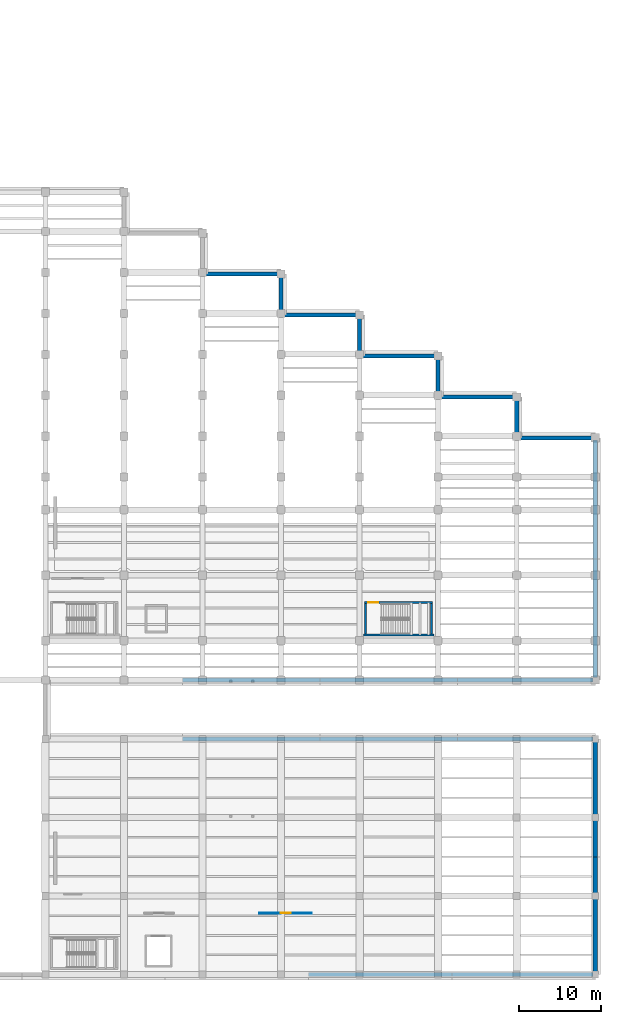
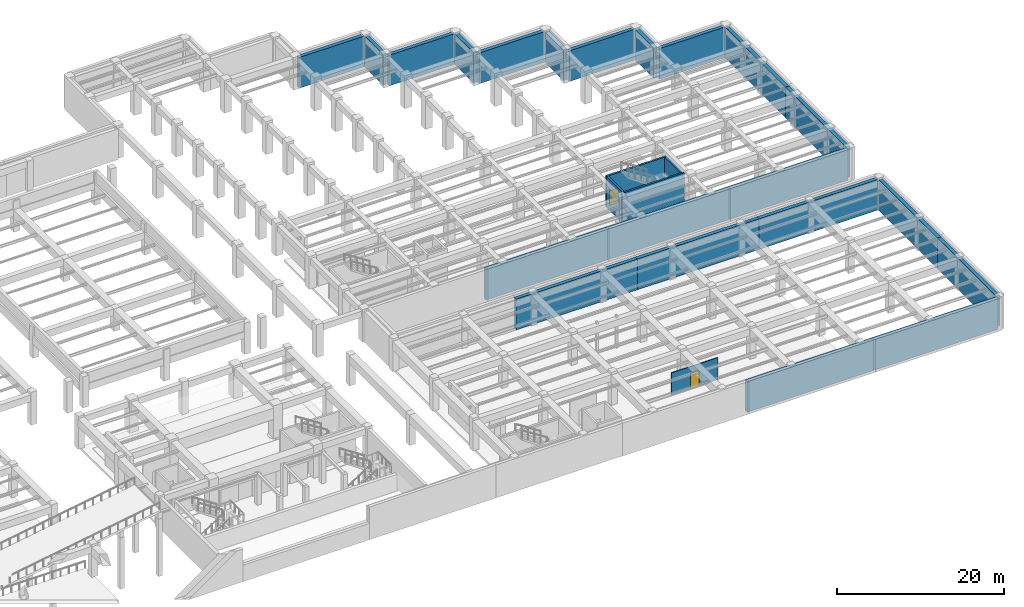
# One storey, part 29 of 45: 26 walls, 2 doors, 2 openings.
"""IFC4 building model written with IfcOpenShell, lengths in metres."""

from ifc_helpers import new_model, si_unit, direction, frame, frame_2d, origin, place, context, subcontext, project, spatial, rectangle, extrude, material, layer, layer_set, type_object, element, fill, save


model = new_model("IFC4")

# Units and contexts
model_context = context("Model", 3, precision=1e-05, world=origin(), true_north=direction((0.0, 1.0)))
body_context = subcontext(model_context, "Body", "Model", "MODEL_VIEW")
ifc_project = project(units=[si_unit("LENGTHUNIT", "METRE"), si_unit("AREAUNIT", "SQUARE_METRE"), si_unit("VOLUMEUNIT", "CUBIC_METRE"), si_unit("PLANEANGLEUNIT", "RADIAN"), si_unit("MASSUNIT", "GRAM", prefix="KILO")], contexts=[model_context])

# Site, building, storey
site_placement = place(None, origin())
site = spatial("IfcSite", under=ifc_project, at=site_placement, CompositionType="ELEMENT")
building_placement = place(site_placement, origin())
building = spatial("IfcBuilding", under=site, at=building_placement, Name="Mavantir Sound Aquarium", CompositionType="ELEMENT")
storey_placement = place(building_placement, frame((0.0, 0.0, -4.800048828125)))
storey = spatial("IfcBuildingStorey", under=building, at=storey_placement, Name="B1", CompositionType="ELEMENT", Elevation=-4.800048828125)

# Wall, opening, door
ifc_material_1 = material(Name="Lightweight Partition Framing", Category="gypsum")
ifc_layer_1 = layer(ifc_material_1, 0.1201171875, Name="Lightweight Partition Framing")
ifc_layer_set_1 = layer_set([ifc_layer_1], Name="Lightweight Partition Framing")
wall_type_1 = type_object("IfcWallType", Name="IW-PART-120", PredefinedType="PARTITIONING", material=ifc_layer_set_1)
wall_1_placement = place(storey_placement, frame((134.14990234375, 7.52490234375, 0.0), z_axis=(0.0, 0.0, 1.0), x_axis=(1.0, 0.0, 0.0)))
wall_1 = element("IfcWall", 1, at=wall_1_placement, inside=storey, type_object=wall_type_1, Name="B1 Life Support Plant Protein Skimmer and Ozone Contactor Hall entry partition", PredefinedType="PARTITIONING", context=body_context, shape_type="SweptSolid", body=[
    extrude(rectangle(XDim=6.400146484375, YDim=0.1201171875, at=frame_2d((3.2001953125, 0.0))), origin(), (0.0, 0.0, 1.0), 3.216064453125),
])
opening_1_placement = place(wall_1_placement, frame((2.590087890625, 0.0, 0.0)))
opening_1 = element("IfcOpeningElement", 2, at=opening_1_placement, cuts=wall_1, Name="Opening ID-09", PredefinedType="OPENING", context=body_context, shape_type="SweptSolid", body=[
    extrude(rectangle(XDim=1.219970703125, YDim=2.25, at=frame_2d((0.60986328125, 1.125))), frame((0.0, 0.070068359375, 0.0), z_axis=(0.0, -1.0, 0.0), x_axis=(1.0, 0.0, 0.0)), (0.0, 0.0, 1.0), 0.14013671875),
])
ifc_material_2 = material(Name="Solid-Core Marine Hardwood and Vision-Panel Door", Category="wood")
door_type_1 = type_object("IfcDoorType", Name="DR-INT-09", OperationType="NOTDEFINED", PredefinedType="DOOR", material=ifc_material_2)
door_1_placement = place(opening_1_placement, origin())
door_1 = element("IfcDoor", 3, at=door_1_placement, inside=storey, type_object=door_type_1, Name="Life Support Plant Protein Skimmer and Ozone Contactor Hall door", OperationType="SINGLE_SWING_LEFT", OverallHeight=2.25, OverallWidth=1.219970703125, PredefinedType="DOOR", context=body_context, shape_type="SweptSolid", body=[
    extrude(rectangle(XDim=1.219970703125, YDim=2.25, at=frame_2d((0.60986328125, 1.125))), frame((0.0, 0.02490234375, 0.0), z_axis=(0.0, -1.0, 0.0), x_axis=(1.0, 0.0, 0.0)), (0.0, 0.0, 1.0), 0.050048828125),
])
fill(opening_1, door_1)

# Wall
ifc_material_3 = material(Name="Concrete C40/50", Category="concrete")
ifc_layer_2 = layer(ifc_material_3, 0.25, Name="Concrete C40/50")
ifc_layer_set_2 = layer_set([ifc_layer_2], Name="Concrete C40/50")
wall_type_2 = type_object("IfcWallType", Name="IW-SHAFT-250", PredefinedType="SHEAR", material=ifc_layer_set_2)
wall_2_placement = place(storey_placement, frame((146.89990234375, 41.47509765625, 0.0), z_axis=(0.0, 0.0, 1.0), x_axis=(1.0, 0.0, 0.0)))
element("IfcWall", 4, at=wall_2_placement, inside=storey, type_object=wall_type_2, Name="B1 stair ST12 shaft wall S", PredefinedType="SHEAR", context=body_context, shape_type="SweptSolid", body=[
    extrude(rectangle(XDim=8.60009765625, YDim=0.25, at=frame_2d((4.300048828125, 0.0))), origin(), (0.0, 0.0, 1.0), 4.510009765625),
])

# Wall, opening, door
wall_3_placement = place(storey_placement, frame((155.300048828125, 45.47509765625, 0.0), z_axis=(0.0, 0.0, 1.0), x_axis=(-1.0, 0.0, 0.0)))
wall_3 = element("IfcWall", 5, at=wall_3_placement, inside=storey, type_object=wall_type_2, Name="B1 stair ST12 shaft wall N", PredefinedType="SHEAR", context=body_context, shape_type="SweptSolid", body=[
    extrude(rectangle(XDim=8.300048828125, YDim=0.25, at=frame_2d((4.14990234375, 0.0))), origin(), (0.0, 0.0, 1.0), 4.510009765625),
])
opening_2_placement = place(wall_3_placement, frame((7.85009765625, 0.0, 0.0), z_axis=(0.0, 0.0, 1.0), x_axis=(-1.0, 0.0, 0.0)))
opening_2 = element("IfcOpeningElement", 6, at=opening_2_placement, cuts=wall_3, Name="Opening SD-01", PredefinedType="OPENING", context=body_context, shape_type="SweptSolid", body=[
    extrude(rectangle(XDim=1.25, YDim=2.199951171875, at=frame_2d((0.625, 1.10009765625))), frame((0.0, 0.135009765625, 0.0), z_axis=(0.0, -1.0, 0.0), x_axis=(1.0, 0.0, 0.0)), (0.0, 0.0, 1.0), 0.27001953125),
])
ifc_material_4 = material(Name="Fire-Rated Steel Acoustic Door Leaf", Category="steel")
door_type_2 = type_object("IfcDoorType", Name="DR-ST-125", OperationType="NOTDEFINED", PredefinedType="DOOR", material=ifc_material_4)
door_2_placement = place(opening_2_placement, origin())
door_2 = element("IfcDoor", 7, at=door_2_placement, inside=storey, type_object=door_type_2, Name="B1 protected exit stair ST12 door", OperationType="SINGLE_SWING_RIGHT", OverallHeight=2.199951171875, OverallWidth=1.25, PredefinedType="DOOR", context=body_context, shape_type="SweptSolid", body=[
    extrude(rectangle(XDim=1.25, YDim=2.199951171875, at=frame_2d((0.625, 1.10009765625))), frame((0.0, 0.02490234375, 0.0), z_axis=(0.0, -1.0, 0.0), x_axis=(1.0, 0.0, 0.0)), (0.0, 0.0, 1.0), 0.050048828125),
])
fill(opening_2, door_2)

# Walls
for number, where, z_axis, x_axis, name in (
    (8, (147.125, 45.35009765625, 0.0), (0.0, 0.0, 1.0), (0.0, -1.0, 0.0), "B1 stair ST12 shaft wall W"),
    (9, (155.175048828125, 41.60009765625, 0.0), (0.0, 0.0, 1.0), (0.0, 1.0, 0.0), "B1 stair ST12 shaft wall E"),
):
    element("IfcWall", number, at=place(storey_placement, frame(where, z_axis=z_axis, x_axis=x_axis)), inside=storey, type_object=wall_type_2, Name=name, PredefinedType="SHEAR", context=body_context, shape_type="SweptSolid", body=[
        extrude(rectangle(XDim=3.75, YDim=0.25, at=frame_2d((1.875, 0.0))), origin(), (0.0, 0.0, 1.0), 4.510009765625),
    ])
ifc_layer_3 = layer(ifc_material_3, 0.5, Name="Concrete C40/50")
ifc_layer_set_3 = layer_set([ifc_layer_3], Name="Concrete C40/50")
wall_type_3 = type_object("IfcWallType", Name="SW-RET-500", PredefinedType="USERDEFINED", material=ifc_layer_set_3)
wall_4_placement = place(storey_placement, frame((127.47998046875, 85.60009765625, 0.0), z_axis=(0.0, 0.0, 1.0), x_axis=(1.0, 0.0, 0.0)))
element("IfcWall", 10, at=wall_4_placement, inside=storey, type_object=wall_type_3, Name="B1 perimeter plinth retaining wall 42", ObjectType="RETAINING WALL", PredefinedType="USERDEFINED", context=body_context, shape_type="SweptSolid", body=[
    extrude(rectangle(XDim=9.0400390625, YDim=0.5, at=frame_2d((4.52001953125, 0.0))), origin(), (0.0, 0.0, 1.0), 4.5),
])
wall_5_placement = place(storey_placement, frame((136.800048828125, 85.320068359375, 0.0), z_axis=(0.0, 0.0, 1.0), x_axis=(0.0, -1.0, 0.0)))
element("IfcWall", 11, at=wall_5_placement, inside=storey, type_object=wall_type_3, Name="B1 perimeter plinth retaining wall 44", ObjectType="RETAINING WALL", PredefinedType="USERDEFINED", context=body_context, shape_type="SweptSolid", body=[
    extrude(rectangle(XDim=4.440185546875, YDim=0.5, at=frame_2d((2.22021484375, 0.0))), origin(), (0.0, 0.0, 1.0), 4.5),
])
wall_6_placement = place(storey_placement, frame((137.080078125, 80.60009765625, 0.0), z_axis=(0.0, 0.0, 1.0), x_axis=(1.0, 0.0, 0.0)))
element("IfcWall", 12, at=wall_6_placement, inside=storey, type_object=wall_type_3, Name="B1 perimeter plinth retaining wall 46", ObjectType="RETAINING WALL", PredefinedType="USERDEFINED", context=body_context, shape_type="SweptSolid", body=[
    extrude(rectangle(XDim=9.0400390625, YDim=0.5, at=frame_2d((4.52001953125, 0.0))), origin(), (0.0, 0.0, 1.0), 4.5),
])
wall_7_placement = place(storey_placement, frame((146.39990234375, 80.320068359375, 0.0), z_axis=(0.0, 0.0, 1.0), x_axis=(0.0, -1.0, 0.0)))
element("IfcWall", 13, at=wall_7_placement, inside=storey, type_object=wall_type_3, Name="B1 perimeter plinth retaining wall 48", ObjectType="RETAINING WALL", PredefinedType="USERDEFINED", context=body_context, shape_type="SweptSolid", body=[
    extrude(rectangle(XDim=4.440185546875, YDim=0.5, at=frame_2d((2.22021484375, 0.0))), origin(), (0.0, 0.0, 1.0), 4.5),
])
wall_8_placement = place(storey_placement, frame((146.679931640625, 75.60009765625, 0.0), z_axis=(0.0, 0.0, 1.0), x_axis=(1.0, 0.0, 0.0)))
element("IfcWall", 14, at=wall_8_placement, inside=storey, type_object=wall_type_3, Name="B1 perimeter plinth retaining wall 50", ObjectType="RETAINING WALL", PredefinedType="USERDEFINED", context=body_context, shape_type="SweptSolid", body=[
    extrude(rectangle(XDim=9.0400390625, YDim=0.5, at=frame_2d((4.52001953125, 0.0))), origin(), (0.0, 0.0, 1.0), 4.5),
])
wall_9_placement = place(storey_placement, frame((156.0, 75.320068359375, 0.0), z_axis=(0.0, 0.0, 1.0), x_axis=(0.0, -1.0, 0.0)))
element("IfcWall", 15, at=wall_9_placement, inside=storey, type_object=wall_type_3, Name="B1 perimeter plinth retaining wall 52", ObjectType="RETAINING WALL", PredefinedType="USERDEFINED", context=body_context, shape_type="SweptSolid", body=[
    extrude(rectangle(XDim=4.440185546875, YDim=0.5, at=frame_2d((2.22021484375, 0.0))), origin(), (0.0, 0.0, 1.0), 4.5),
])
wall_10_placement = place(storey_placement, frame((156.280029296875, 70.60009765625, 0.0), z_axis=(0.0, 0.0, 1.0), x_axis=(1.0, 0.0, 0.0)))
element("IfcWall", 16, at=wall_10_placement, inside=storey, type_object=wall_type_3, Name="B1 perimeter plinth retaining wall 54", ObjectType="RETAINING WALL", PredefinedType="USERDEFINED", context=body_context, shape_type="SweptSolid", body=[
    extrude(rectangle(XDim=9.0400390625, YDim=0.5, at=frame_2d((4.52001953125, 0.0))), origin(), (0.0, 0.0, 1.0), 4.5),
])
wall_11_placement = place(storey_placement, frame((165.60009765625, 70.320068359375, 0.0), z_axis=(0.0, 0.0, 1.0), x_axis=(0.0, -1.0, 0.0)))
element("IfcWall", 17, at=wall_11_placement, inside=storey, type_object=wall_type_3, Name="B1 perimeter plinth retaining wall 56", ObjectType="RETAINING WALL", PredefinedType="USERDEFINED", context=body_context, shape_type="SweptSolid", body=[
    extrude(rectangle(XDim=4.440185546875, YDim=0.5, at=frame_2d((2.22021484375, 0.0))), origin(), (0.0, 0.0, 1.0), 4.5),
])
wall_12_placement = place(storey_placement, frame((165.8798828125, 65.60009765625, 0.0), z_axis=(0.0, 0.0, 1.0), x_axis=(1.0, 0.0, 0.0)))
element("IfcWall", 18, at=wall_12_placement, inside=storey, type_object=wall_type_3, Name="B1 perimeter plinth retaining wall 58", ObjectType="RETAINING WALL", PredefinedType="USERDEFINED", context=body_context, shape_type="SweptSolid", body=[
    extrude(rectangle(XDim=9.0400390625, YDim=0.5, at=frame_2d((4.52001953125, 0.0))), origin(), (0.0, 0.0, 1.0), 4.5),
])
for number, where, z_axis, x_axis, name in (
    (19, (175.199951171875, 65.320068359375, 0.0), (0.0, 0.0, 1.0), (0.0, -1.0, 0.0), "B1 perimeter plinth retaining wall 60"),
    (20, (175.199951171875, 50.800048828125, 0.0), (0.0, 0.0, 1.0), (0.0, -1.0, 0.0), "B1 perimeter plinth retaining wall 62"),
):
    element("IfcWall", number, at=place(storey_placement, frame(where, z_axis=z_axis, x_axis=x_axis)), inside=storey, type_object=wall_type_3, Name=name, ObjectType="RETAINING WALL", PredefinedType="USERDEFINED", context=body_context, shape_type="SweptSolid", body=[
        extrude(rectangle(XDim=14.52001953125, YDim=0.5, at=frame_2d((7.260009765625, 0.0))), origin(), (0.0, 0.0, 1.0), 4.5),
    ])
wall_13_placement = place(storey_placement, frame((174.919921875, 36.0, 0.0), z_axis=(0.0, 0.0, 1.0), x_axis=(-1.0, 0.0, 0.0)))
element("IfcWall", 21, at=wall_13_placement, inside=storey, type_object=wall_type_3, Name="B1 perimeter plinth retaining wall 64", ObjectType="RETAINING WALL", PredefinedType="USERDEFINED", context=body_context, shape_type="SweptSolid", body=[
    extrude(rectangle(XDim=16.532958984375, YDim=0.5, at=frame_2d((8.2666015625, 0.0))), origin(), (0.0, 0.0, 1.0), 4.5),
])
for number, where, z_axis, x_axis, name in (
    (22, (158.386962890625, 36.0, 0.0), (0.0, 0.0, 1.0), (-1.0, 0.0, 0.0), "B1 perimeter plinth retaining wall 66"),
    (23, (141.574951171875, 36.0, 0.0), (0.0, 0.0, 1.0), (-1.0, 0.0, 0.0), "B1 perimeter plinth retaining wall 68"),
    (24, (124.762939453125, 28.800048828125, 0.0), (0.0, 0.0, 1.0), (1.0, 0.0, 0.0), "B1 perimeter plinth retaining wall 76"),
    (25, (141.574951171875, 28.800048828125, 0.0), (0.0, 0.0, 1.0), (1.0, 0.0, 0.0), "B1 perimeter plinth retaining wall 78"),
):
    element("IfcWall", number, at=place(storey_placement, frame(where, z_axis=z_axis, x_axis=x_axis)), inside=storey, type_object=wall_type_3, Name=name, ObjectType="RETAINING WALL", PredefinedType="USERDEFINED", context=body_context, shape_type="SweptSolid", body=[
        extrude(rectangle(XDim=16.81201171875, YDim=0.5, at=frame_2d((8.406005859375, 0.0))), origin(), (0.0, 0.0, 1.0), 4.5),
    ])
wall_14_placement = place(storey_placement, frame((158.386962890625, 28.800048828125, 0.0), z_axis=(0.0, 0.0, 1.0), x_axis=(1.0, 0.0, 0.0)))
element("IfcWall", 26, at=wall_14_placement, inside=storey, type_object=wall_type_3, Name="B1 perimeter plinth retaining wall 80", ObjectType="RETAINING WALL", PredefinedType="USERDEFINED", context=body_context, shape_type="SweptSolid", body=[
    extrude(rectangle(XDim=16.532958984375, YDim=0.5, at=frame_2d((8.2666015625, 0.0))), origin(), (0.0, 0.0, 1.0), 4.5),
])
wall_15_placement = place(storey_placement, frame((175.199951171875, 28.52001953125, 0.0), z_axis=(0.0, 0.0, 1.0), x_axis=(0.0, -1.0, 0.0)))
element("IfcWall", 27, at=wall_15_placement, inside=storey, type_object=wall_type_3, Name="B1 perimeter plinth retaining wall 82", ObjectType="RETAINING WALL", PredefinedType="USERDEFINED", context=body_context, shape_type="SweptSolid", body=[
    extrude(rectangle(XDim=14.1201171875, YDim=0.5, at=frame_2d((7.06005859375, 0.0))), origin(), (0.0, 0.0, 1.0), 4.5),
])
wall_16_placement = place(storey_placement, frame((175.199951171875, 14.39990234375, 0.0), z_axis=(0.0, 0.0, 1.0), x_axis=(0.0, -1.0, 0.0)))
element("IfcWall", 28, at=wall_16_placement, inside=storey, type_object=wall_type_3, Name="B1 perimeter plinth retaining wall 84", ObjectType="RETAINING WALL", PredefinedType="USERDEFINED", context=body_context, shape_type="SweptSolid", body=[
    extrude(rectangle(XDim=14.119873046875, YDim=0.5, at=frame_2d((7.06005859375, 0.0))), origin(), (0.0, 0.0, 1.0), 4.5),
])
wall_17_placement = place(storey_placement, frame((174.919921875, 0.0, 0.0), z_axis=(0.0, 0.0, 1.0), x_axis=(-1.0, 0.0, 0.0)))
element("IfcWall", 29, at=wall_17_placement, inside=storey, type_object=wall_type_3, Name="B1 perimeter plinth retaining wall 86", ObjectType="RETAINING WALL", PredefinedType="USERDEFINED", context=body_context, shape_type="SweptSolid", body=[
    extrude(rectangle(XDim=17.239990234375, YDim=0.5, at=frame_2d((8.6201171875, 0.0))), origin(), (0.0, 0.0, 1.0), 4.5),
])
wall_18_placement = place(storey_placement, frame((157.679931640625, 0.0, 0.0), z_axis=(0.0, 0.0, 1.0), x_axis=(-1.0, 0.0, 0.0)))
element("IfcWall", 30, at=wall_18_placement, inside=storey, type_object=wall_type_3, Name="B1 perimeter plinth retaining wall 88", ObjectType="RETAINING WALL", PredefinedType="USERDEFINED", context=body_context, shape_type="SweptSolid", body=[
    extrude(rectangle(XDim=17.52001953125, YDim=0.5, at=frame_2d((8.760009765625, 0.0))), origin(), (0.0, 0.0, 1.0), 4.5),
])

save(model, "model.ifc")
